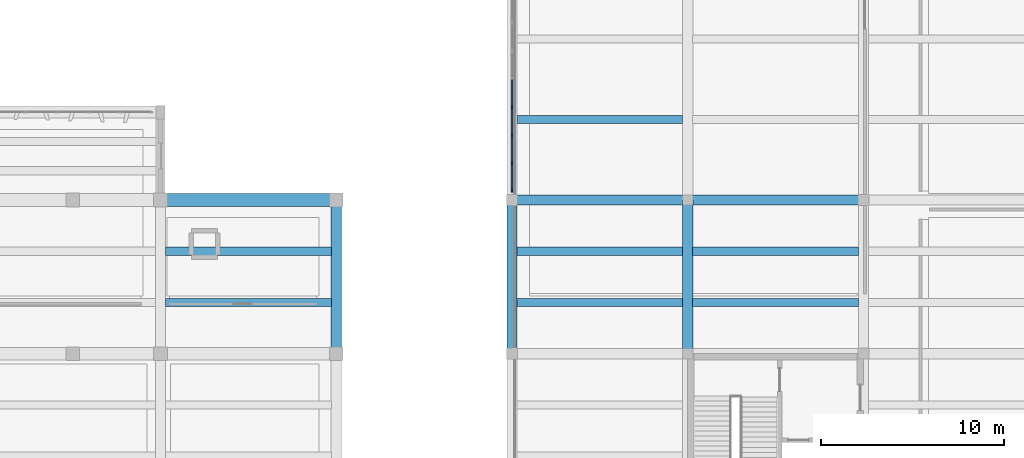
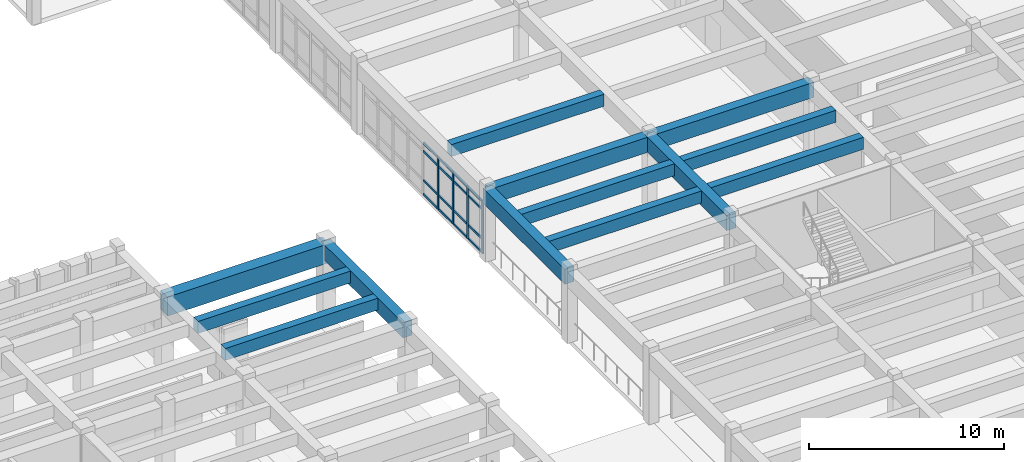
# One storey, part 35 of 86: 20 members, 13 beams, 1 element without a shape of its own.
"""IFC4 building model written with IfcOpenShell, lengths in metres."""

from ifc_helpers import new_model, si_unit, direction, frame, origin, origin_2d, place, context, subcontext, project, spatial, rectangle, extrude, material, layer, layer_set, material_profile, profile_set, type_object, element, aggregate, save


model = new_model("IFC4")

# Units and contexts
model_context = context("Model", 3, precision=1e-05, world=origin(), true_north=direction((0.0, 1.0)))
body_context = subcontext(model_context, "Body", "Model", "MODEL_VIEW")
ifc_project = project(units=[si_unit("LENGTHUNIT", "METRE"), si_unit("AREAUNIT", "SQUARE_METRE"), si_unit("VOLUMEUNIT", "CUBIC_METRE"), si_unit("PLANEANGLEUNIT", "RADIAN"), si_unit("MASSUNIT", "GRAM", prefix="KILO")], contexts=[model_context])

# Site, building, storey
site_placement = place(None, origin())
site = spatial("IfcSite", under=ifc_project, at=site_placement, CompositionType="ELEMENT")
building_placement = place(site_placement, origin())
building = spatial("IfcBuilding", under=site, at=building_placement, Name="Kolvemor Railside Polytechnic", CompositionType="ELEMENT")
storey_placement = place(building_placement, frame((0.0, 0.0, 5.39990234375)))
storey = spatial("IfcBuildingStorey", under=building, at=storey_placement, Name="L01", CompositionType="ELEMENT", Elevation=5.39990234375)

# Beams
ifc_material_1 = material(Name="Concrete C40/50", Category="concrete")
ifc_material_profile_1 = material_profile(ifc_material_1, rectangle(XDim=0.550048828125, YDim=0.949951171875, at=origin_2d()), Name="RC550x950")
ifc_profile_set_1 = profile_set([ifc_material_profile_1], Name="Concrete C40/50")
beam_type_1 = type_object("IfcBeamType", Name="BM-RC-GIRD", PredefinedType="BEAM", material=ifc_profile_set_1)
beam_1_placement = place(storey_placement, frame((134.39990234375, 30.0, 4.005126953125), z_axis=(0.0, 1.0, 0.0), x_axis=(-1.0, 0.0, 0.0)))
element("IfcBeam", 1, at=beam_1_placement, inside=storey, type_object=beam_type_1, Name="Primary Girder L02-GY 0828", PredefinedType="BEAM", context=body_context, shape_type="SweptSolid", body=[
    extrude(rectangle(XDim=0.550048828125, YDim=0.949951171875, at=origin_2d()), origin(), (0.0, 0.0, 1.0), 8.39990234375),
])
beam_2_placement = place(storey_placement, frame((144.0, 38.39990234375, 4.005126953125), z_axis=(1.0, 0.0, 0.0), x_axis=(0.0, 1.0, 0.0)))
element("IfcBeam", 2, at=beam_2_placement, inside=storey, type_object=beam_type_1, Name="Primary Girder L02-GX 0911", PredefinedType="BEAM", context=body_context, shape_type="SweptSolid", body=[
    extrude(rectangle(XDim=0.550048828125, YDim=0.949951171875, at=origin_2d()), origin(), (0.0, 0.0, 1.0), 9.60009765625),
])
beam_3_placement = place(storey_placement, frame((153.60009765625, 38.39990234375, 4.005126953125), z_axis=(1.0, 0.0, 0.0), x_axis=(0.0, 1.0, 0.0)))
element("IfcBeam", 3, at=beam_3_placement, inside=storey, type_object=beam_type_1, Name="Primary Girder L02-GX 0912", PredefinedType="BEAM", context=body_context, shape_type="SweptSolid", body=[
    extrude(rectangle(XDim=0.550048828125, YDim=0.949951171875, at=origin_2d()), origin(), (0.0, 0.0, 1.0), 9.599853515625),
])
for number, where, z_axis, x_axis, name in (
    (4, (144.0, 30.0, 4.005126953125), (0.0, 1.0, 0.0), (-1.0, 0.0, 0.0), "Primary Girder L02-GY 0938"),
    (5, (153.60009765625, 30.0, 4.005126953125), (0.0, 1.0, 0.0), (-1.0, 0.0, 0.0), "Primary Girder L02-GY 0947"),
):
    element("IfcBeam", number, at=place(storey_placement, frame(where, z_axis=z_axis, x_axis=x_axis)), inside=storey, type_object=beam_type_1, Name=name, PredefinedType="BEAM", context=body_context, shape_type="SweptSolid", body=[
        extrude(rectangle(XDim=0.550048828125, YDim=0.949951171875, at=origin_2d()), origin(), (0.0, 0.0, 1.0), 8.39990234375),
    ])
ifc_material_2 = material(Name="Concrete C40/50", Category="concrete")
ifc_material_profile_2 = material_profile(ifc_material_2, rectangle(XDim=0.449951171875, YDim=0.75, at=origin_2d()), Name="RC450x750")
ifc_profile_set_2 = profile_set([ifc_material_profile_2], Name="Concrete C40/50")
beam_type_2 = type_object("IfcBeamType", Name="BM-RC-SEC", PredefinedType="JOIST", material=ifc_profile_set_2)
for number, where, z_axis, x_axis, name in (
    (6, (125.074951171875, 32.800048828125, 4.10498046875), (1.0, 0.0, 0.0), (0.0, 1.0, 0.0), "Floor Joist L02-J0893"),
    (7, (125.074951171875, 35.60009765625, 4.10498046875), (1.0, 0.0, 0.0), (0.0, 1.0, 0.0), "Floor Joist L02-J0894"),
    (8, (144.27490234375, 32.800048828125, 4.10498046875), (1.0, 0.0, 0.0), (0.0, 1.0, 0.0), "Floor Joist L02-J0986"),
    (9, (144.27490234375, 35.60009765625, 4.10498046875), (1.0, 0.0, 0.0), (0.0, 1.0, 0.0), "Floor Joist L02-J0987"),
    (10, (144.27490234375, 42.800048828125, 4.10498046875), (1.0, 0.0, 0.0), (0.0, 1.0, 0.0), "Floor Joist L02-J0988"),
    (11, (153.875, 32.800048828125, 4.10498046875), (1.0, 0.0, 0.0), (0.0, 1.0, 0.0), "Floor Joist L02-J1002"),
    (12, (153.875, 35.60009765625, 4.10498046875), (1.0, 0.0, 0.0), (0.0, 1.0, 0.0), "Floor Joist L02-J1003"),
):
    element("IfcBeam", number, at=place(storey_placement, frame(where, z_axis=z_axis, x_axis=x_axis)), inside=storey, type_object=beam_type_2, Name=name, PredefinedType="JOIST", context=body_context, shape_type="SweptSolid", body=[
        extrude(rectangle(XDim=0.449951171875, YDim=0.75, at=origin_2d()), origin(), (0.0, 0.0, 1.0), 9.050048828125),
    ])
ifc_material_3 = material(Name="Concrete C40/50", Category="concrete")
ifc_material_profile_3 = material_profile(ifc_material_3, rectangle(XDim=0.699951171875, YDim=1.199951171875, at=origin_2d()), Name="RC700x1200")
ifc_profile_set_3 = profile_set([ifc_material_profile_3], Name="Concrete C40/50")
beam_type_3 = type_object("IfcBeamType", Name="BM-RC-XFER", PredefinedType="BEAM", material=ifc_profile_set_3)
beam_4_placement = place(storey_placement, frame((124.800048828125, 38.39990234375, 3.880126953125), z_axis=(1.0, 0.0, 0.0), x_axis=(0.0, 1.0, 0.0)))
element("IfcBeam", 13, at=beam_4_placement, inside=storey, type_object=beam_type_3, Name="Primary Girder L02-GX 0792", PredefinedType="BEAM", context=body_context, shape_type="SweptSolid", body=[
    extrude(rectangle(XDim=0.699951171875, YDim=1.199951171875, at=origin_2d()), origin(), (0.0, 0.0, 1.0), 9.599853515625),
])

# Curtain wall, members
ifc_material_4 = material(Name="Anodised marine aluminium and laminated low-E glass", Category="aluminium")
ifc_layer = layer(ifc_material_4, 0.179931640625, Name="CW-UNIT-STD")
ifc_layer_set = layer_set([ifc_layer], Name="Anodised marine aluminium and laminated low-E glass")
curtain_wall_type = type_object("IfcCurtainWallType", Name="CW-UNIT-STD", PredefinedType="USERDEFINED", material=ifc_layer_set)
curtain_wall_placement = place(storey_placement, origin())
curtain_wall = element("IfcCurtainWall", 14, at=curtain_wall_placement, inside=storey, type_object=curtain_wall_type, Name="Curtain Wall L01-062", ObjectType="UNITISED CURTAIN WALL", PredefinedType="USERDEFINED")
ifc_material_5 = material(Name="Anodised marine aluminium 6063-T6", Category="aluminium")
ifc_material_profile_4 = material_profile(ifc_material_5, rectangle(XDim=0.074951171875, YDim=0.179931640625, at=origin_2d()), Name="CW-MUL-75x180")
ifc_profile_set_4 = profile_set([ifc_material_profile_4], Name="Anodised marine aluminium 6063-T6")
member_type_1 = type_object("IfcMemberType", Name="CWM-75x180", PredefinedType="MULLION", material=ifc_profile_set_4)
member_1_placement = place(storey_placement, frame((144.0, 43.467529296875, 0.0), z_axis=(0.0, 0.0, 1.0), x_axis=(1.0, 0.0, 0.0)))
member_1 = element("IfcMember", 15, at=member_1_placement, type_object=member_type_1, Name="CW-STD mullion 6", PredefinedType="MULLION", context=body_context, shape_type="SweptSolid", body=[
    extrude(rectangle(XDim=0.074951171875, YDim=0.179931640625, at=origin_2d()), origin(), (0.0, 0.0, 1.0), 3.280029296875),
])
member_2_placement = place(storey_placement, frame((144.0, 41.93505859375, 0.0), z_axis=(0.0, 0.0, 1.0), x_axis=(1.0, 0.0, 0.0)))
member_2 = element("IfcMember", 16, at=member_2_placement, type_object=member_type_1, Name="CW-STD mullion 7", PredefinedType="MULLION", context=body_context, shape_type="SweptSolid", body=[
    extrude(rectangle(XDim=0.074951171875, YDim=0.179931640625, at=origin_2d()), origin(), (0.0, 0.0, 1.0), 3.280029296875),
])
member_3_placement = place(storey_placement, frame((144.0, 40.402587890625, 0.0), z_axis=(0.0, 0.0, 1.0), x_axis=(1.0, 0.0, 0.0)))
member_3 = element("IfcMember", 17, at=member_3_placement, type_object=member_type_1, Name="CW-STD mullion 8", PredefinedType="MULLION", context=body_context, shape_type="SweptSolid", body=[
    extrude(rectangle(XDim=0.074951171875, YDim=0.179931640625, at=origin_2d()), origin(), (0.0, 0.0, 1.0), 3.280029296875),
])
member_4_placement = place(storey_placement, frame((144.0, 38.907470703125, 0.0), z_axis=(0.0, 0.0, 1.0), x_axis=(1.0, 0.0, 0.0)))
member_4 = element("IfcMember", 18, at=member_4_placement, type_object=member_type_1, Name="CW-STD mullion 9", PredefinedType="MULLION", context=body_context, shape_type="SweptSolid", body=[
    extrude(rectangle(XDim=0.074951171875, YDim=0.179931640625, at=origin_2d()), origin(), (0.0, 0.0, 1.0), 3.280029296875),
])
ifc_material_6 = material(Name="Anodised marine aluminium 6063-T6", Category="aluminium")
ifc_material_profile_5 = material_profile(ifc_material_6, rectangle(XDim=0.074951171875, YDim=0.139892578125, at=origin_2d()), Name="CW-TRN-75x140")
ifc_profile_set_5 = profile_set([ifc_material_profile_5], Name="Anodised marine aluminium 6063-T6")
member_type_2 = type_object("IfcMemberType", Name="CWT-75x140", PredefinedType="USERDEFINED", material=ifc_profile_set_5)
member_5_placement = place(storey_placement, frame((144.0, 44.96240234375, 0.03759765625), z_axis=(0.0, -1.0, 0.0), x_axis=(1.0, 0.0, 0.0)))
member_5 = element("IfcMember", 19, at=member_5_placement, type_object=member_type_2, Name="CW-STD transom 5.1", ObjectType="TRANSOM", PredefinedType="USERDEFINED", context=body_context, shape_type="SweptSolid", body=[
    extrude(rectangle(XDim=0.074951171875, YDim=0.139892578125, at=origin_2d()), origin(), (0.0, 0.0, 1.0), 1.45751953125),
])
member_6_placement = place(storey_placement, frame((144.0, 44.96240234375, 0.900146484375), z_axis=(0.0, -1.0, 0.0), x_axis=(1.0, 0.0, 0.0)))
member_6 = element("IfcMember", 20, at=member_6_placement, type_object=member_type_2, Name="CW-STD transom 5.2", ObjectType="TRANSOM", PredefinedType="USERDEFINED", context=body_context, shape_type="SweptSolid", body=[
    extrude(rectangle(XDim=0.074951171875, YDim=0.139892578125, at=origin_2d()), origin(), (0.0, 0.0, 1.0), 1.45751953125),
])
member_7_placement = place(storey_placement, frame((144.0, 44.96240234375, 2.72998046875), z_axis=(0.0, -1.0, 0.0), x_axis=(1.0, 0.0, 0.0)))
member_7 = element("IfcMember", 21, at=member_7_placement, type_object=member_type_2, Name="CW-STD transom 5.3", ObjectType="TRANSOM", PredefinedType="USERDEFINED", context=body_context, shape_type="SweptSolid", body=[
    extrude(rectangle(XDim=0.074951171875, YDim=0.139892578125, at=origin_2d()), origin(), (0.0, 0.0, 1.0), 1.45751953125),
])
member_8_placement = place(storey_placement, frame((144.0, 44.96240234375, 3.24267578125), z_axis=(0.0, -1.0, 0.0), x_axis=(1.0, 0.0, 0.0)))
member_8 = element("IfcMember", 22, at=member_8_placement, type_object=member_type_2, Name="CW-STD transom 5.4", ObjectType="TRANSOM", PredefinedType="USERDEFINED", context=body_context, shape_type="SweptSolid", body=[
    extrude(rectangle(XDim=0.074951171875, YDim=0.139892578125, at=origin_2d()), origin(), (0.0, 0.0, 1.0), 1.45751953125),
])
member_9_placement = place(storey_placement, frame((144.0, 43.429931640625, 0.03759765625), z_axis=(0.0, -1.0, 0.0), x_axis=(1.0, 0.0, 0.0)))
member_9 = element("IfcMember", 23, at=member_9_placement, type_object=member_type_2, Name="CW-STD transom 6.1", ObjectType="TRANSOM", PredefinedType="USERDEFINED", context=body_context, shape_type="SweptSolid", body=[
    extrude(rectangle(XDim=0.074951171875, YDim=0.139892578125, at=origin_2d()), origin(), (0.0, 0.0, 1.0), 1.45751953125),
])
member_10_placement = place(storey_placement, frame((144.0, 43.429931640625, 0.900146484375), z_axis=(0.0, -1.0, 0.0), x_axis=(1.0, 0.0, 0.0)))
member_10 = element("IfcMember", 24, at=member_10_placement, type_object=member_type_2, Name="CW-STD transom 6.2", ObjectType="TRANSOM", PredefinedType="USERDEFINED", context=body_context, shape_type="SweptSolid", body=[
    extrude(rectangle(XDim=0.074951171875, YDim=0.139892578125, at=origin_2d()), origin(), (0.0, 0.0, 1.0), 1.45751953125),
])
member_11_placement = place(storey_placement, frame((144.0, 43.429931640625, 2.72998046875), z_axis=(0.0, -1.0, 0.0), x_axis=(1.0, 0.0, 0.0)))
member_11 = element("IfcMember", 25, at=member_11_placement, type_object=member_type_2, Name="CW-STD transom 6.3", ObjectType="TRANSOM", PredefinedType="USERDEFINED", context=body_context, shape_type="SweptSolid", body=[
    extrude(rectangle(XDim=0.074951171875, YDim=0.139892578125, at=origin_2d()), origin(), (0.0, 0.0, 1.0), 1.45751953125),
])
member_12_placement = place(storey_placement, frame((144.0, 43.429931640625, 3.24267578125), z_axis=(0.0, -1.0, 0.0), x_axis=(1.0, 0.0, 0.0)))
member_12 = element("IfcMember", 26, at=member_12_placement, type_object=member_type_2, Name="CW-STD transom 6.4", ObjectType="TRANSOM", PredefinedType="USERDEFINED", context=body_context, shape_type="SweptSolid", body=[
    extrude(rectangle(XDim=0.074951171875, YDim=0.139892578125, at=origin_2d()), origin(), (0.0, 0.0, 1.0), 1.45751953125),
])
member_13_placement = place(storey_placement, frame((144.0, 41.8974609375, 0.03759765625), z_axis=(0.0, -1.0, 0.0), x_axis=(1.0, 0.0, 0.0)))
member_13 = element("IfcMember", 27, at=member_13_placement, type_object=member_type_2, Name="CW-STD transom 7.1", ObjectType="TRANSOM", PredefinedType="USERDEFINED", context=body_context, shape_type="SweptSolid", body=[
    extrude(rectangle(XDim=0.074951171875, YDim=0.139892578125, at=origin_2d()), origin(), (0.0, 0.0, 1.0), 1.45751953125),
])
member_14_placement = place(storey_placement, frame((144.0, 41.8974609375, 0.900146484375), z_axis=(0.0, -1.0, 0.0), x_axis=(1.0, 0.0, 0.0)))
member_14 = element("IfcMember", 28, at=member_14_placement, type_object=member_type_2, Name="CW-STD transom 7.2", ObjectType="TRANSOM", PredefinedType="USERDEFINED", context=body_context, shape_type="SweptSolid", body=[
    extrude(rectangle(XDim=0.074951171875, YDim=0.139892578125, at=origin_2d()), origin(), (0.0, 0.0, 1.0), 1.45751953125),
])
member_15_placement = place(storey_placement, frame((144.0, 41.8974609375, 2.72998046875), z_axis=(0.0, -1.0, 0.0), x_axis=(1.0, 0.0, 0.0)))
member_15 = element("IfcMember", 29, at=member_15_placement, type_object=member_type_2, Name="CW-STD transom 7.3", ObjectType="TRANSOM", PredefinedType="USERDEFINED", context=body_context, shape_type="SweptSolid", body=[
    extrude(rectangle(XDim=0.074951171875, YDim=0.139892578125, at=origin_2d()), origin(), (0.0, 0.0, 1.0), 1.45751953125),
])
member_16_placement = place(storey_placement, frame((144.0, 41.8974609375, 3.24267578125), z_axis=(0.0, -1.0, 0.0), x_axis=(1.0, 0.0, 0.0)))
member_16 = element("IfcMember", 30, at=member_16_placement, type_object=member_type_2, Name="CW-STD transom 7.4", ObjectType="TRANSOM", PredefinedType="USERDEFINED", context=body_context, shape_type="SweptSolid", body=[
    extrude(rectangle(XDim=0.074951171875, YDim=0.139892578125, at=origin_2d()), origin(), (0.0, 0.0, 1.0), 1.45751953125),
])
member_17_placement = place(storey_placement, frame((144.0, 40.364990234375, 0.03759765625), z_axis=(0.0, -1.0, 0.0), x_axis=(1.0, 0.0, 0.0)))
member_17 = element("IfcMember", 31, at=member_17_placement, type_object=member_type_2, Name="CW-STD transom 8.1", ObjectType="TRANSOM", PredefinedType="USERDEFINED", context=body_context, shape_type="SweptSolid", body=[
    extrude(rectangle(XDim=0.074951171875, YDim=0.139892578125, at=origin_2d()), origin(), (0.0, 0.0, 1.0), 1.419921875),
])
member_18_placement = place(storey_placement, frame((144.0, 40.364990234375, 0.900146484375), z_axis=(0.0, -1.0, 0.0), x_axis=(1.0, 0.0, 0.0)))
member_18 = element("IfcMember", 32, at=member_18_placement, type_object=member_type_2, Name="CW-STD transom 8.2", ObjectType="TRANSOM", PredefinedType="USERDEFINED", context=body_context, shape_type="SweptSolid", body=[
    extrude(rectangle(XDim=0.074951171875, YDim=0.139892578125, at=origin_2d()), origin(), (0.0, 0.0, 1.0), 1.419921875),
])
member_19_placement = place(storey_placement, frame((144.0, 40.364990234375, 2.72998046875), z_axis=(0.0, -1.0, 0.0), x_axis=(1.0, 0.0, 0.0)))
member_19 = element("IfcMember", 33, at=member_19_placement, type_object=member_type_2, Name="CW-STD transom 8.3", ObjectType="TRANSOM", PredefinedType="USERDEFINED", context=body_context, shape_type="SweptSolid", body=[
    extrude(rectangle(XDim=0.074951171875, YDim=0.139892578125, at=origin_2d()), origin(), (0.0, 0.0, 1.0), 1.419921875),
])
member_20_placement = place(storey_placement, frame((144.0, 40.364990234375, 3.24267578125), z_axis=(0.0, -1.0, 0.0), x_axis=(1.0, 0.0, 0.0)))
member_20 = element("IfcMember", 34, at=member_20_placement, type_object=member_type_2, Name="CW-STD transom 8.4", ObjectType="TRANSOM", PredefinedType="USERDEFINED", context=body_context, shape_type="SweptSolid", body=[
    extrude(rectangle(XDim=0.074951171875, YDim=0.139892578125, at=origin_2d()), origin(), (0.0, 0.0, 1.0), 1.419921875),
])
aggregate(curtain_wall, [member_1, member_2, member_3, member_4, member_5, member_6, member_7, member_8, member_9, member_10, member_11, member_12, member_13, member_14, member_15, member_16, member_17, member_18, member_19, member_20])

save(model, "model.ifc")
